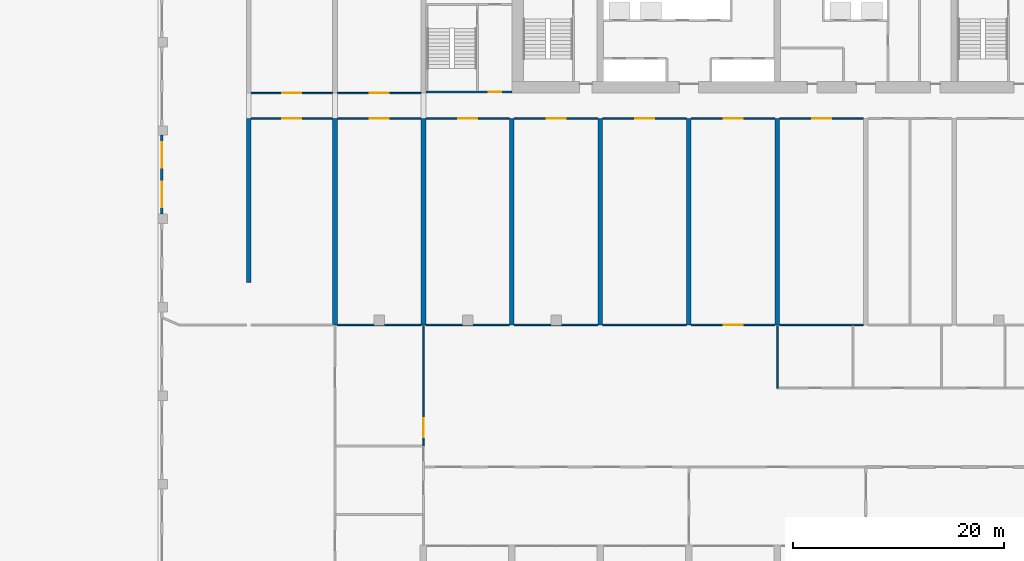
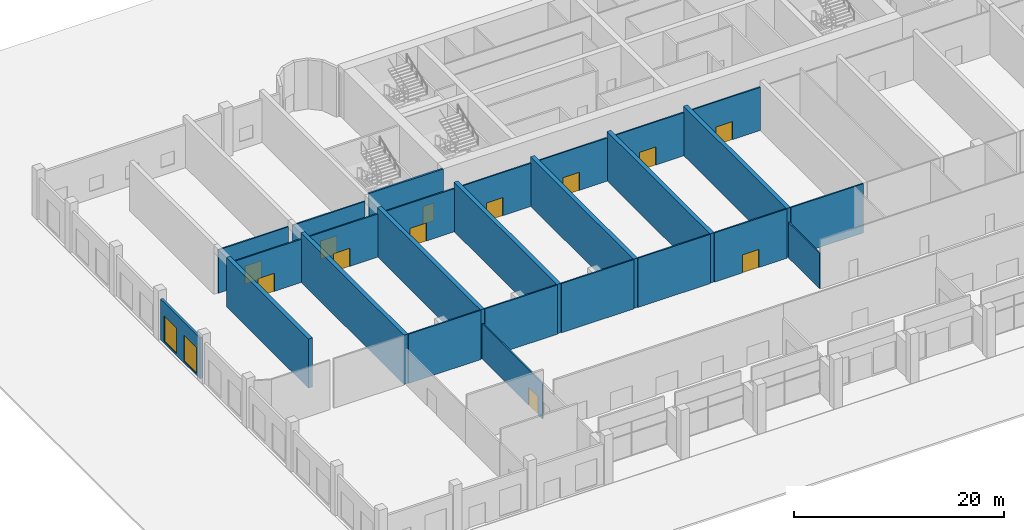
# One storey, part 8 of 20: 26 walls, 12 doors, 2 windows, 14 openings.
"""IFC4 building model written with IfcOpenShell, lengths in metres."""

from ifc_helpers import new_model, si_unit, direction, frame, frame_2d, origin, place, context, subcontext, project, spatial, rectangle, extrude, source, transform, mapped, material, layer, layer_set, type_object, element, fill, save


model = new_model("IFC4")

# Units and contexts
model_context = context("Model", 3, precision=1e-05, world=origin(), true_north=direction((0.0, 1.0)))
body_context = subcontext(model_context, "Body", "Model", "MODEL_VIEW")
ifc_project = project(units=[si_unit("LENGTHUNIT", "METRE"), si_unit("AREAUNIT", "SQUARE_METRE"), si_unit("VOLUMEUNIT", "CUBIC_METRE"), si_unit("PLANEANGLEUNIT", "RADIAN"), si_unit("MASSUNIT", "GRAM", prefix="KILO")], contexts=[model_context])

# Site, building, storey
site_placement = place(None, origin())
site = spatial("IfcSite", under=ifc_project, at=site_placement, CompositionType="ELEMENT")
building_placement = place(site_placement, origin())
building = spatial("IfcBuilding", under=site, at=building_placement, Name="Vanashikhar Sky Hotel", CompositionType="ELEMENT")
storey_placement = place(building_placement, origin())
storey = spatial("IfcBuildingStorey", under=building, at=storey_placement, Name="L00", CompositionType="ELEMENT", Elevation=0.0)

# Walls
ifc_material_1 = material(Name="Concrete M80", Category="concrete")
ifc_layer_1 = layer(ifc_material_1, 0.449951171875)
ifc_layer_set_1 = layer_set([ifc_layer_1], Name="RC shear wall 450 Concrete M80")
wall_type_1 = type_object("IfcWallType", Name="RC shear wall 450 Concrete M80", PredefinedType="SHEAR", material=ifc_layer_set_1)
shared_shape_1 = source(origin(), body_context, "Body", "SweptSolid", [
    extrude(rectangle(XDim=15.60009765625, YDim=0.449951171875, at=frame_2d((7.800048828125, 0.0))), origin(), (0.0, 0.0, 1.0), 5.719970703125),
])
wall_1_placement = place(storey_placement, frame((0.22509765625, 4.0, 0.0), z_axis=(0.0, 0.0, 1.0), x_axis=(0.0, 1.0, 0.0)))
element("IfcWall", 1, at=wall_1_placement, inside=storey, type_object=wall_type_1, Name="CW-L00-XW01-1", PredefinedType="SHEAR", context=body_context, shape_type="MappedRepresentation", body=[
    mapped(shared_shape_1, transform((0.0, 0.0, 0.0), scale=1.0)),
])
shared_shape_2 = source(origin(), body_context, "Body", "SweptSolid", [
    extrude(rectangle(XDim=19.60009765625, YDim=0.449951171875, at=frame_2d((9.800048828125, 0.0))), origin(), (0.0, 0.0, 1.0), 5.719970703125),
])
for number, where, z_axis, x_axis, name in (
    (2, (8.39990234375, 0.0, 0.0), (0.0, 0.0, 1.0), (0.0, 1.0, 0.0), "CW-L00-XW02-1"),
    (3, (16.800048828125, 0.0, 0.0), (0.0, 0.0, 1.0), (0.0, 1.0, 0.0), "CW-L00-XW03-1"),
    (4, (25.199951171875, 0.0, 0.0), (0.0, 0.0, 1.0), (0.0, 1.0, 0.0), "CW-L00-XW04-1"),
    (5, (33.60009765625, 0.0, 0.0), (0.0, 0.0, 1.0), (0.0, 1.0, 0.0), "CW-L00-XW05-1"),
    (6, (42.0, 0.0, 0.0), (0.0, 0.0, 1.0), (0.0, 1.0, 0.0), "CW-L00-XW06-1"),
    (7, (50.39990234375, 0.0, 0.0), (0.0, 0.0, 1.0), (0.0, 1.0, 0.0), "CW-L00-XW07-1"),
):
    element("IfcWall", number, at=place(storey_placement, frame(where, z_axis=z_axis, x_axis=x_axis)), inside=storey, type_object=wall_type_1, Name=name, PredefinedType="SHEAR", context=body_context, shape_type="MappedRepresentation", body=[
        mapped(shared_shape_2, transform((0.0, 0.0, 0.0), scale=1.0)),
    ])

# Wall, openings, windows
ifc_material_2 = material(Name="Concrete M50", Category="concrete")
ifc_layer_2 = layer(ifc_material_2, 0.25)
ifc_layer_set_2 = layer_set([ifc_layer_2], Name="Rear and end board-marked wall 250")
wall_type_2 = type_object("IfcWallType", Name="Rear and end board-marked wall 250", PredefinedType="SOLIDWALL", material=ifc_layer_set_2)
shared_shape_3 = source(origin(), body_context, "Body", "SweptSolid", [
    extrude(rectangle(XDim=7.5, YDim=0.25, at=frame_2d((3.75, 0.0))), origin(), (0.0, 0.0, 1.0), 4.719970703125),
])
wall_2_placement = place(storey_placement, frame((-8.02490234375, 18.0, 0.0), z_axis=(0.0, 0.0, 1.0), x_axis=(0.0, -1.0, 0.0)))
wall_2 = element("IfcWall", 8, at=wall_2_placement, inside=storey, type_object=wall_type_2, Name="Podium external wall", PredefinedType="SOLIDWALL", context=body_context, shape_type="MappedRepresentation", body=[
    mapped(shared_shape_3, transform((0.0, 0.0, 0.0), scale=1.0)),
])
shared_shape_4 = source(origin(), body_context, "Body", "SweptSolid", [
    extrude(rectangle(XDim=2.39990234375, YDim=3.0, at=frame_2d((1.199951171875, 1.5))), frame((0.0, 0.135009765625, 0.0), z_axis=(0.0, -1.0, 0.0), x_axis=(1.0, 0.0, 0.0)), (0.0, 0.0, 1.0), 0.27001953125),
])
opening_1_placement = place(wall_2_placement, frame((0.675048828125, 0.0, 0.199951171875)))
opening_1 = element("IfcOpeningElement", 9, at=opening_1_placement, cuts=wall_2, Name="Opening WN-5", PredefinedType="OPENING", context=body_context, shape_type="MappedRepresentation", body=[
    mapped(shared_shape_4, transform((0.0, 0.0, 0.0), scale=1.0)),
])
opening_2_placement = place(wall_2_placement, frame((4.425048828125, 0.0, 0.199951171875)))
opening_2 = element("IfcOpeningElement", 10, at=opening_2_placement, cuts=wall_2, Name="Opening WN-5", PredefinedType="OPENING", context=body_context, shape_type="MappedRepresentation", body=[
    mapped(shared_shape_4, transform((0.0, 0.0, 0.0), scale=1.0)),
])
ifc_material_3 = material(Name="Glass", Category="glass")
window_type = type_object("IfcWindowType", Name="Shopfront window 2400 x 3000", PartitioningType="SINGLE_PANEL", PredefinedType="WINDOW", material=ifc_material_3)
shared_shape_5 = source(origin(), body_context, "Body", "SweptSolid", [
    extrude(rectangle(XDim=2.39990234375, YDim=3.0, at=frame_2d((1.199951171875, 1.5))), frame((0.0, 0.030029296875, 0.0), z_axis=(0.0, -1.0, 0.0), x_axis=(1.0, 0.0, 0.0)), (0.0, 0.0, 1.0), 0.06005859375),
])
window_1_placement = place(opening_1_placement, origin())
window_1 = element("IfcWindow", 11, at=window_1_placement, inside=storey, type_object=window_type, Name="Window WN-5", OverallHeight=3.0, OverallWidth=2.39990234375, PartitioningType="SINGLE_PANEL", PredefinedType="WINDOW", context=body_context, shape_type="MappedRepresentation", body=[
    mapped(shared_shape_5, transform((0.0, 0.0, 0.0), scale=1.0)),
])
fill(opening_1, window_1)
window_2_placement = place(opening_2_placement, origin())
window_2 = element("IfcWindow", 12, at=window_2_placement, inside=storey, type_object=window_type, Name="Window WN-5", OverallHeight=3.0, OverallWidth=2.39990234375, PartitioningType="SINGLE_PANEL", PredefinedType="WINDOW", context=body_context, shape_type="MappedRepresentation", body=[
    mapped(shared_shape_5, transform((0.0, 0.0, 0.0), scale=1.0)),
])
fill(opening_2, window_2)

# Wall, opening, door
ifc_layer_3 = layer(ifc_material_2, 0.199951171875)
ifc_layer_set_3 = layer_set([ifc_layer_3], Name="Stair wall 200")
wall_type_3 = type_object("IfcWallType", Name="Stair wall 200", PredefinedType="SOLIDWALL", material=ifc_layer_set_3)
shared_shape_6 = source(origin(), body_context, "Body", "SweptSolid", [
    extrude(rectangle(XDim=8.175048828125, YDim=0.199951171875, at=frame_2d((4.08740234375, 0.0))), origin(), (0.0, 0.0, 1.0), 5.719970703125),
])
wall_3_placement = place(storey_placement, frame((17.02490234375, 22.10009765625, 0.0), z_axis=(0.0, 0.0, 1.0), x_axis=(1.0, 0.0, 0.0)))
wall_3 = element("IfcWall", 13, at=wall_3_placement, inside=storey, type_object=wall_type_3, Name="Stair wall 200", PredefinedType="SOLIDWALL", context=body_context, shape_type="MappedRepresentation", body=[
    mapped(shared_shape_6, transform((0.0, 0.0, 0.0), scale=1.0)),
])
shared_shape_7 = source(origin(), body_context, "Body", "SweptSolid", [
    extrude(rectangle(XDim=1.199951171875, YDim=2.10009765625, at=frame_2d((0.60009765625, 1.050048828125))), frame((0.0, 0.10986328125, 0.0), z_axis=(0.0, -1.0, 0.0), x_axis=(1.0, 0.0, 0.0)), (0.0, 0.0, 1.0), 0.219970703125),
])
opening_3_placement = place(wall_3_placement, frame((5.97509765625, 0.0, 0.0)))
opening_3 = element("IfcOpeningElement", 14, at=opening_3_placement, cuts=wall_3, Name="Opening DC-2", PredefinedType="OPENING", context=body_context, shape_type="MappedRepresentation", body=[
    mapped(shared_shape_7, transform((0.0, 0.0, 0.0), scale=1.0)),
])
ifc_material_4 = material(Name="Steel", Category="steel")
door_type_1 = type_object("IfcDoorType", Name="Firefighting lobby door 1200 FD120", OperationType="NOTDEFINED", PredefinedType="DOOR", material=ifc_material_4)
shared_shape_8 = source(origin(), body_context, "Body", "SweptSolid", [
    extrude(rectangle(XDim=1.199951171875, YDim=2.10009765625, at=frame_2d((0.60009765625, 1.050048828125))), frame((0.0, 0.02490234375, 0.0), z_axis=(0.0, -1.0, 0.0), x_axis=(1.0, 0.0, 0.0)), (0.0, 0.0, 1.0), 0.050048828125),
])
door_1_placement = place(opening_3_placement, origin())
door_1 = element("IfcDoor", 15, at=door_1_placement, inside=storey, type_object=door_type_1, Name="Firefighting lobby door 1200 FD120", OperationType="SINGLE_SWING_RIGHT", OverallHeight=2.10009765625, OverallWidth=1.199951171875, PredefinedType="DOOR", context=body_context, shape_type="MappedRepresentation", body=[
    mapped(shared_shape_8, transform((0.0, 0.0, 0.0), scale=1.0)),
])
fill(opening_3, door_1)

ifc_material_5 = material(Name="Gypsum plasterboard partition")
ifc_layer_4 = layer(ifc_material_5, 0.14990234375)
ifc_layer_set_4 = layer_set([ifc_layer_4], Name="Corridor and demising partition 150")
wall_type_4 = type_object("IfcWallType", Name="Corridor and demising partition 150", PredefinedType="PARTITIONING", material=ifc_layer_set_4)
shared_shape_9 = source(origin(), body_context, "Body", "SweptSolid", [
    extrude(rectangle(XDim=7.72509765625, YDim=0.14990234375, at=frame_2d((3.862548828125, 0.0))), origin(), (0.0, 0.0, 1.0), 5.02001953125),
])
wall_4_placement = place(storey_placement, frame((0.449951171875, 19.60009765625, 0.0), z_axis=(0.0, 0.0, 1.0), x_axis=(1.0, 0.0, 0.0)))
wall_4 = element("IfcWall", 16, at=wall_4_placement, inside=storey, type_object=wall_type_4, Name="W-L00-PW001", PredefinedType="PARTITIONING", context=body_context, shape_type="MappedRepresentation", body=[
    mapped(shared_shape_9, transform((0.0, 0.0, 0.0), scale=1.0)),
])
shared_shape_10 = source(origin(), body_context, "Body", "SweptSolid", [
    extrude(rectangle(XDim=1.800048828125, YDim=2.10009765625, at=frame_2d((0.89990234375, 1.050048828125))), frame((0.0, 0.0849609375, 0.0), z_axis=(0.0, -1.0, 0.0), x_axis=(1.0, 0.0, 0.0)), (0.0, 0.0, 1.0), 0.169921875),
])
opening_4_placement = place(wall_4_placement, frame((2.9619140625, 0.0, 0.0)))
opening_4 = element("IfcOpeningElement", 17, at=opening_4_placement, cuts=wall_4, Name="Opening D-03", PredefinedType="OPENING", context=body_context, shape_type="MappedRepresentation", body=[
    mapped(shared_shape_10, transform((0.0, 0.0, 0.0), scale=1.0)),
])
ifc_material_6 = material(Name="Timber fire door", Category="wood")
door_type_2 = type_object("IfcDoorType", Name="Double leaf door 1800 FD30S", OperationType="NOTDEFINED", PredefinedType="DOOR", material=ifc_material_6)
shared_shape_11 = source(origin(), body_context, "Body", "SweptSolid", [
    extrude(rectangle(XDim=1.800048828125, YDim=2.10009765625, at=frame_2d((0.89990234375, 1.050048828125))), frame((0.0, 0.02490234375, 0.0), z_axis=(0.0, -1.0, 0.0), x_axis=(1.0, 0.0, 0.0)), (0.0, 0.0, 1.0), 0.050048828125),
])
door_2_placement = place(opening_4_placement, origin())
door_2 = element("IfcDoor", 18, at=door_2_placement, inside=storey, type_object=door_type_2, Name="D-L00-001", OperationType="DOUBLE_DOOR_SINGLE_SWING", OverallHeight=2.10009765625, OverallWidth=1.800048828125, PredefinedType="DOOR", context=body_context, shape_type="MappedRepresentation", body=[
    mapped(shared_shape_11, transform((0.0, 0.0, 0.0), scale=1.0)),
])
fill(opening_4, door_2)

wall_5_placement = place(storey_placement, frame((0.449951171875, 22.0, 0.0), z_axis=(0.0, 0.0, 1.0), x_axis=(1.0, 0.0, 0.0)))
wall_5 = element("IfcWall", 19, at=wall_5_placement, inside=storey, type_object=wall_type_4, Name="W-L00-PW049", PredefinedType="PARTITIONING", context=body_context, shape_type="MappedRepresentation", body=[
    mapped(shared_shape_9, transform((0.0, 0.0, 0.0), scale=1.0)),
])
opening_5_placement = place(wall_5_placement, frame((2.9619140625, 0.0, 0.0)))
opening_5 = element("IfcOpeningElement", 20, at=opening_5_placement, cuts=wall_5, Name="Opening D-03", PredefinedType="OPENING", context=body_context, shape_type="MappedRepresentation", body=[
    mapped(shared_shape_10, transform((0.0, 0.0, 0.0), scale=1.0)),
])
door_3_placement = place(opening_5_placement, origin())
door_3 = element("IfcDoor", 21, at=door_3_placement, inside=storey, type_object=door_type_2, Name="D-L00-041", OperationType="DOUBLE_DOOR_SINGLE_SWING", OverallHeight=2.10009765625, OverallWidth=1.800048828125, PredefinedType="DOOR", context=body_context, shape_type="MappedRepresentation", body=[
    mapped(shared_shape_11, transform((0.0, 0.0, 0.0), scale=1.0)),
])
fill(opening_5, door_3)

shared_shape_12 = source(origin(), body_context, "Body", "SweptSolid", [
    extrude(rectangle(XDim=7.949951171875, YDim=0.14990234375, at=frame_2d((3.97509765625, 0.0))), origin(), (0.0, 0.0, 1.0), 5.02001953125),
])
wall_6_placement = place(storey_placement, frame((8.625, 19.60009765625, 0.0), z_axis=(0.0, 0.0, 1.0), x_axis=(1.0, 0.0, 0.0)))
wall_6 = element("IfcWall", 22, at=wall_6_placement, inside=storey, type_object=wall_type_4, Name="W-L00-PW003", PredefinedType="PARTITIONING", context=body_context, shape_type="MappedRepresentation", body=[
    mapped(shared_shape_12, transform((0.0, 0.0, 0.0), scale=1.0)),
])
opening_6_placement = place(wall_6_placement, frame((3.074951171875, 0.0, 0.0)))
opening_6 = element("IfcOpeningElement", 23, at=opening_6_placement, cuts=wall_6, Name="Opening D-03", PredefinedType="OPENING", context=body_context, shape_type="MappedRepresentation", body=[
    mapped(shared_shape_10, transform((0.0, 0.0, 0.0), scale=1.0)),
])
door_4_placement = place(opening_6_placement, origin())
door_4 = element("IfcDoor", 24, at=door_4_placement, inside=storey, type_object=door_type_2, Name="D-L00-002", OperationType="DOUBLE_DOOR_SINGLE_SWING", OverallHeight=2.10009765625, OverallWidth=1.800048828125, PredefinedType="DOOR", context=body_context, shape_type="MappedRepresentation", body=[
    mapped(shared_shape_11, transform((0.0, 0.0, 0.0), scale=1.0)),
])
fill(opening_6, door_4)

wall_7_placement = place(storey_placement, frame((25.425048828125, 19.60009765625, 0.0), z_axis=(0.0, 0.0, 1.0), x_axis=(1.0, 0.0, 0.0)))
wall_7 = element("IfcWall", 25, at=wall_7_placement, inside=storey, type_object=wall_type_4, Name="W-L00-PW007", PredefinedType="PARTITIONING", context=body_context, shape_type="MappedRepresentation", body=[
    mapped(shared_shape_12, transform((0.0, 0.0, 0.0), scale=1.0)),
])
opening_7_placement = place(wall_7_placement, frame((3.074951171875, 0.0, 0.0)))
opening_7 = element("IfcOpeningElement", 26, at=opening_7_placement, cuts=wall_7, Name="Opening D-03", PredefinedType="OPENING", context=body_context, shape_type="MappedRepresentation", body=[
    mapped(shared_shape_10, transform((0.0, 0.0, 0.0), scale=1.0)),
])
door_5_placement = place(opening_7_placement, origin())
door_5 = element("IfcDoor", 27, at=door_5_placement, inside=storey, type_object=door_type_2, Name="D-L00-004", OperationType="DOUBLE_DOOR_SINGLE_SWING", OverallHeight=2.10009765625, OverallWidth=1.800048828125, PredefinedType="DOOR", context=body_context, shape_type="MappedRepresentation", body=[
    mapped(shared_shape_11, transform((0.0, 0.0, 0.0), scale=1.0)),
])
fill(opening_7, door_5)

wall_8_placement = place(storey_placement, frame((33.824951171875, 19.60009765625, 0.0), z_axis=(0.0, 0.0, 1.0), x_axis=(1.0, 0.0, 0.0)))
wall_8 = element("IfcWall", 28, at=wall_8_placement, inside=storey, type_object=wall_type_4, Name="W-L00-PW009", PredefinedType="PARTITIONING", context=body_context, shape_type="MappedRepresentation", body=[
    mapped(shared_shape_12, transform((0.0, 0.0, 0.0), scale=1.0)),
])
opening_8_placement = place(wall_8_placement, frame((3.074951171875, 0.0, 0.0)))
opening_8 = element("IfcOpeningElement", 29, at=opening_8_placement, cuts=wall_8, Name="Opening D-03", PredefinedType="OPENING", context=body_context, shape_type="MappedRepresentation", body=[
    mapped(shared_shape_10, transform((0.0, 0.0, 0.0), scale=1.0)),
])
door_6_placement = place(opening_8_placement, origin())
door_6 = element("IfcDoor", 30, at=door_6_placement, inside=storey, type_object=door_type_2, Name="D-L00-005", OperationType="DOUBLE_DOOR_SINGLE_SWING", OverallHeight=2.10009765625, OverallWidth=1.800048828125, PredefinedType="DOOR", context=body_context, shape_type="MappedRepresentation", body=[
    mapped(shared_shape_11, transform((0.0, 0.0, 0.0), scale=1.0)),
])
fill(opening_8, door_6)

wall_9_placement = place(storey_placement, frame((42.22509765625, 19.60009765625, 0.0), z_axis=(0.0, 0.0, 1.0), x_axis=(1.0, 0.0, 0.0)))
wall_9 = element("IfcWall", 31, at=wall_9_placement, inside=storey, type_object=wall_type_4, Name="W-L00-PW011", PredefinedType="PARTITIONING", context=body_context, shape_type="MappedRepresentation", body=[
    mapped(shared_shape_12, transform((0.0, 0.0, 0.0), scale=1.0)),
])
opening_9_placement = place(wall_9_placement, frame((3.074951171875, 0.0, 0.0)))
opening_9 = element("IfcOpeningElement", 32, at=opening_9_placement, cuts=wall_9, Name="Opening D-03", PredefinedType="OPENING", context=body_context, shape_type="MappedRepresentation", body=[
    mapped(shared_shape_10, transform((0.0, 0.0, 0.0), scale=1.0)),
])
door_7_placement = place(opening_9_placement, origin())
door_7 = element("IfcDoor", 33, at=door_7_placement, inside=storey, type_object=door_type_2, Name="D-L00-006", OperationType="DOUBLE_DOOR_SINGLE_SWING", OverallHeight=2.10009765625, OverallWidth=1.800048828125, PredefinedType="DOOR", context=body_context, shape_type="MappedRepresentation", body=[
    mapped(shared_shape_11, transform((0.0, 0.0, 0.0), scale=1.0)),
])
fill(opening_9, door_7)

wall_10_placement = place(storey_placement, frame((50.625, 19.60009765625, 0.0), z_axis=(0.0, 0.0, 1.0), x_axis=(1.0, 0.0, 0.0)))
wall_10 = element("IfcWall", 34, at=wall_10_placement, inside=storey, type_object=wall_type_4, Name="W-L00-PW013", PredefinedType="PARTITIONING", context=body_context, shape_type="MappedRepresentation", body=[
    mapped(shared_shape_12, transform((0.0, 0.0, 0.0), scale=1.0)),
])
opening_10_placement = place(wall_10_placement, frame((3.074951171875, 0.0, 0.0)))
opening_10 = element("IfcOpeningElement", 35, at=opening_10_placement, cuts=wall_10, Name="Opening D-03", PredefinedType="OPENING", context=body_context, shape_type="MappedRepresentation", body=[
    mapped(shared_shape_10, transform((0.0, 0.0, 0.0), scale=1.0)),
])
door_8_placement = place(opening_10_placement, origin())
door_8 = element("IfcDoor", 36, at=door_8_placement, inside=storey, type_object=door_type_2, Name="D-L00-008", OperationType="DOUBLE_DOOR_SINGLE_SWING", OverallHeight=2.10009765625, OverallWidth=1.800048828125, PredefinedType="DOOR", context=body_context, shape_type="MappedRepresentation", body=[
    mapped(shared_shape_11, transform((0.0, 0.0, 0.0), scale=1.0)),
])
fill(opening_10, door_8)

wall_11_placement = place(storey_placement, frame((8.625, 22.0, 0.0), z_axis=(0.0, 0.0, 1.0), x_axis=(1.0, 0.0, 0.0)))
wall_11 = element("IfcWall", 37, at=wall_11_placement, inside=storey, type_object=wall_type_4, Name="W-L00-PW050", PredefinedType="PARTITIONING", context=body_context, shape_type="MappedRepresentation", body=[
    mapped(shared_shape_12, transform((0.0, 0.0, 0.0), scale=1.0)),
])
opening_11_placement = place(wall_11_placement, frame((3.074951171875, 0.0, 0.0)))
opening_11 = element("IfcOpeningElement", 38, at=opening_11_placement, cuts=wall_11, Name="Opening D-03", PredefinedType="OPENING", context=body_context, shape_type="MappedRepresentation", body=[
    mapped(shared_shape_10, transform((0.0, 0.0, 0.0), scale=1.0)),
])
door_9_placement = place(opening_11_placement, origin())
door_9 = element("IfcDoor", 39, at=door_9_placement, inside=storey, type_object=door_type_2, Name="D-L00-042", OperationType="DOUBLE_DOOR_SINGLE_SWING", OverallHeight=2.10009765625, OverallWidth=1.800048828125, PredefinedType="DOOR", context=body_context, shape_type="MappedRepresentation", body=[
    mapped(shared_shape_11, transform((0.0, 0.0, 0.0), scale=1.0)),
])
fill(opening_11, door_9)

# Walls
shared_shape_13 = source(origin(), body_context, "Body", "SweptSolid", [
    extrude(rectangle(XDim=7.949951171875, YDim=0.14990234375, at=frame_2d((3.97509765625, 0.0))), origin(), (0.0, 0.0, 1.0), 5.719970703125),
])
for number, where, z_axis, x_axis, name in (
    (40, (8.625, 0.0, 0.0), (0.0, 0.0, 1.0), (1.0, 0.0, 0.0), "W-L00-PW004"),
    (41, (25.425048828125, 0.0, 0.0), (0.0, 0.0, 1.0), (1.0, 0.0, 0.0), "W-L00-PW008"),
    (42, (33.824951171875, 0.0, 0.0), (0.0, 0.0, 1.0), (1.0, 0.0, 0.0), "W-L00-PW010"),
):
    element("IfcWall", number, at=place(storey_placement, frame(where, z_axis=z_axis, x_axis=x_axis)), inside=storey, type_object=wall_type_4, Name=name, PredefinedType="PARTITIONING", context=body_context, shape_type="MappedRepresentation", body=[
        mapped(shared_shape_13, transform((0.0, 0.0, 0.0), scale=1.0)),
    ])

# Wall, opening, door
wall_12_placement = place(storey_placement, frame((42.22509765625, 0.0, 0.0), z_axis=(0.0, 0.0, 1.0), x_axis=(1.0, 0.0, 0.0)))
wall_12 = element("IfcWall", 43, at=wall_12_placement, inside=storey, type_object=wall_type_4, Name="W-L00-PW012", PredefinedType="PARTITIONING", context=body_context, shape_type="MappedRepresentation", body=[
    mapped(shared_shape_13, transform((0.0, 0.0, 0.0), scale=1.0)),
])
opening_12_placement = place(wall_12_placement, frame((3.074951171875, 0.0, 0.0)))
opening_12 = element("IfcOpeningElement", 44, at=opening_12_placement, cuts=wall_12, Name="Opening D-03", PredefinedType="OPENING", context=body_context, shape_type="MappedRepresentation", body=[
    mapped(shared_shape_10, transform((0.0, 0.0, 0.0), scale=1.0)),
])
door_10_placement = place(opening_12_placement, origin())
door_10 = element("IfcDoor", 45, at=door_10_placement, inside=storey, type_object=door_type_2, Name="D-L00-007", OperationType="DOUBLE_DOOR_SINGLE_SWING", OverallHeight=2.10009765625, OverallWidth=1.800048828125, PredefinedType="DOOR", context=body_context, shape_type="MappedRepresentation", body=[
    mapped(shared_shape_11, transform((0.0, 0.0, 0.0), scale=1.0)),
])
fill(opening_12, door_10)

# Wall
wall_13_placement = place(storey_placement, frame((50.625, 0.0, 0.0), z_axis=(0.0, 0.0, 1.0), x_axis=(1.0, 0.0, 0.0)))
element("IfcWall", 46, at=wall_13_placement, inside=storey, type_object=wall_type_4, Name="W-L00-PW014", PredefinedType="PARTITIONING", context=body_context, shape_type="MappedRepresentation", body=[
    mapped(shared_shape_13, transform((0.0, 0.0, 0.0), scale=1.0)),
])

# Wall, opening, door
shared_shape_14 = source(origin(), body_context, "Body", "SweptSolid", [
    extrude(rectangle(XDim=7.9501953125, YDim=0.14990234375, at=frame_2d((3.97509765625, 0.0))), origin(), (0.0, 0.0, 1.0), 5.02001953125),
])
wall_14_placement = place(storey_placement, frame((17.02490234375, 19.60009765625, 0.0), z_axis=(0.0, 0.0, 1.0), x_axis=(1.0, 0.0, 0.0)))
wall_14 = element("IfcWall", 47, at=wall_14_placement, inside=storey, type_object=wall_type_4, Name="W-L00-PW005", PredefinedType="PARTITIONING", context=body_context, shape_type="MappedRepresentation", body=[
    mapped(shared_shape_14, transform((0.0, 0.0, 0.0), scale=1.0)),
])
opening_13_placement = place(wall_14_placement, frame((3.074951171875, 0.0, 0.0)))
opening_13 = element("IfcOpeningElement", 48, at=opening_13_placement, cuts=wall_14, Name="Opening D-03", PredefinedType="OPENING", context=body_context, shape_type="MappedRepresentation", body=[
    mapped(shared_shape_10, transform((0.0, 0.0, 0.0), scale=1.0)),
])
door_11_placement = place(opening_13_placement, origin())
door_11 = element("IfcDoor", 49, at=door_11_placement, inside=storey, type_object=door_type_2, Name="D-L00-003", OperationType="DOUBLE_DOOR_SINGLE_SWING", OverallHeight=2.10009765625, OverallWidth=1.800048828125, PredefinedType="DOOR", context=body_context, shape_type="MappedRepresentation", body=[
    mapped(shared_shape_11, transform((0.0, 0.0, 0.0), scale=1.0)),
])
fill(opening_13, door_11)

# Wall
shared_shape_15 = source(origin(), body_context, "Body", "SweptSolid", [
    extrude(rectangle(XDim=7.9501953125, YDim=0.14990234375, at=frame_2d((3.97509765625, 0.0))), origin(), (0.0, 0.0, 1.0), 5.719970703125),
])
wall_15_placement = place(storey_placement, frame((17.02490234375, 0.0, 0.0), z_axis=(0.0, 0.0, 1.0), x_axis=(1.0, 0.0, 0.0)))
element("IfcWall", 50, at=wall_15_placement, inside=storey, type_object=wall_type_4, Name="W-L00-PW006", PredefinedType="PARTITIONING", context=body_context, shape_type="MappedRepresentation", body=[
    mapped(shared_shape_15, transform((0.0, 0.0, 0.0), scale=1.0)),
])

# Wall, opening, door
shared_shape_16 = source(origin(), body_context, "Body", "SweptSolid", [
    extrude(rectangle(XDim=11.425048828125, YDim=0.14990234375, at=frame_2d((5.71240234375, 0.0))), origin(), (0.0, 0.0, 1.0), 4.1201171875),
])
wall_16_placement = place(storey_placement, frame((16.800048828125, -11.5, 0.0), z_axis=(0.0, 0.0, 1.0), x_axis=(0.0, 1.0, 0.0)))
wall_16 = element("IfcWall", 51, at=wall_16_placement, inside=storey, type_object=wall_type_4, Name="W-L00-PW034", PredefinedType="PARTITIONING", context=body_context, shape_type="MappedRepresentation", body=[
    mapped(shared_shape_16, transform((0.0, 0.0, 0.0), scale=1.0)),
])
opening_14_placement = place(wall_16_placement, frame((0.85009765625, 0.0, 0.0)))
opening_14 = element("IfcOpeningElement", 52, at=opening_14_placement, cuts=wall_16, Name="Opening D-03", PredefinedType="OPENING", context=body_context, shape_type="MappedRepresentation", body=[
    mapped(shared_shape_10, transform((0.0, 0.0, 0.0), scale=1.0)),
])
door_12_placement = place(opening_14_placement, origin())
door_12 = element("IfcDoor", 53, at=door_12_placement, inside=storey, type_object=door_type_2, Name="D-L00-019", OperationType="DOUBLE_DOOR_SINGLE_SWING", OverallHeight=2.10009765625, OverallWidth=1.800048828125, PredefinedType="DOOR", context=body_context, shape_type="MappedRepresentation", body=[
    mapped(shared_shape_11, transform((0.0, 0.0, 0.0), scale=1.0)),
])
fill(opening_14, door_12)

# Wall
shared_shape_17 = source(origin(), body_context, "Body", "SweptSolid", [
    extrude(rectangle(XDim=5.925048828125, YDim=0.14990234375, at=frame_2d((2.96240234375, 0.0))), origin(), (0.0, 0.0, 1.0), 4.1201171875),
])
wall_17_placement = place(storey_placement, frame((50.39990234375, -6.0, 0.0), z_axis=(0.0, 0.0, 1.0), x_axis=(0.0, 1.0, 0.0)))
element("IfcWall", 54, at=wall_17_placement, inside=storey, type_object=wall_type_4, Name="W-L00-PW043", PredefinedType="PARTITIONING", context=body_context, shape_type="MappedRepresentation", body=[
    mapped(shared_shape_17, transform((0.0, 0.0, 0.0), scale=1.0)),
])

save(model, "model.ifc")
